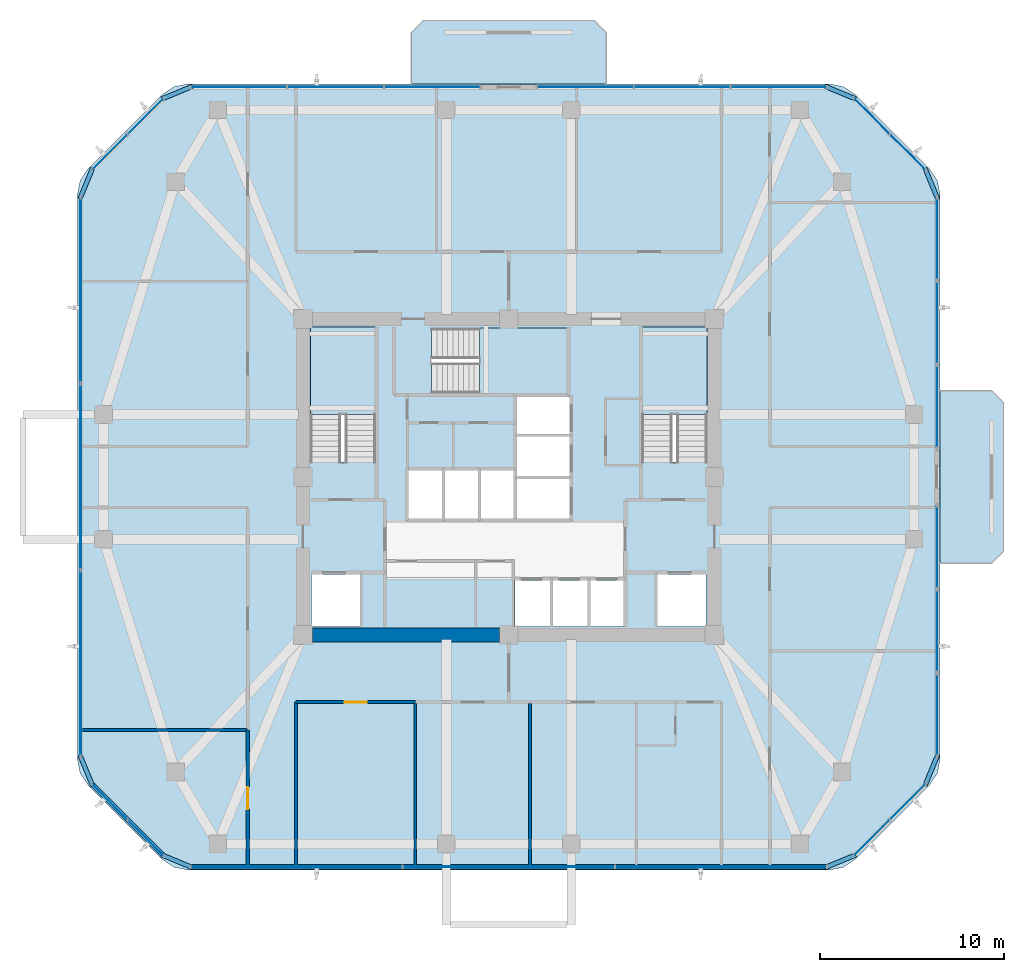
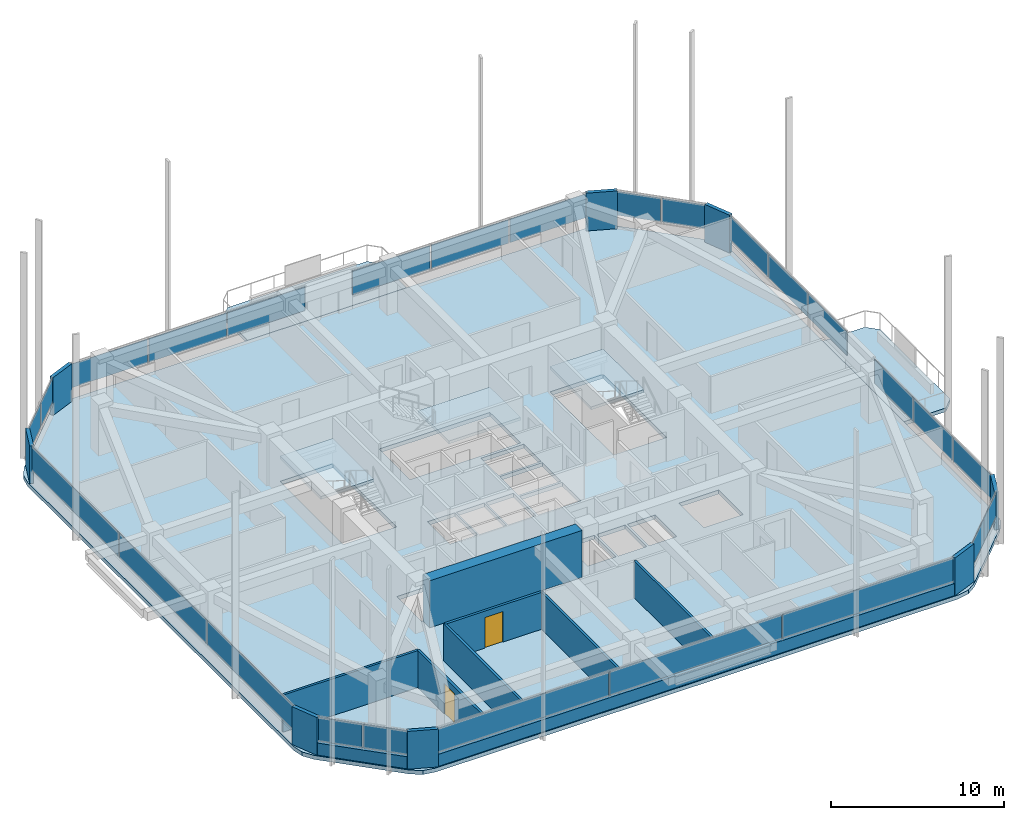
# One storey, part 7 of 14: 34 plates, 9 walls, 6 slabs, 2 doors, 2 openings, 13 elements without a shape of their own.
"""IFC4 building model written with IfcOpenShell, lengths in metres."""

from ifc_helpers import new_model, si_unit, derived_unit, direction, frame, frame_2d, origin, origin_2d, place, context, subcontext, project, spatial, polyline, rectangle, outline, extrude, material, layer, layer_set, type_object, element, fill, aggregate, save


model = new_model("IFC4")

# Units and contexts
model_context = context("Model", 3, precision=1e-05, world=origin(), true_north=direction((0.0, 1.0)))
body_context = subcontext(model_context, "Body", "Model", "MODEL_VIEW")
ifc_project = project(units=[si_unit("LENGTHUNIT", "METRE"), si_unit("AREAUNIT", "SQUARE_METRE"), si_unit("VOLUMEUNIT", "CUBIC_METRE"), si_unit("PLANEANGLEUNIT", "RADIAN"), si_unit("MASSUNIT", "GRAM", prefix="KILO"), derived_unit("THERMALTRANSMITTANCEUNIT", [(si_unit("POWERUNIT", "WATT"), 1), (si_unit("LENGTHUNIT", "METRE"), -2), (si_unit("THERMODYNAMICTEMPERATUREUNIT", "KELVIN"), -1)])], contexts=[model_context])

# Site, building, storey
site_placement = place(None, origin())
site = spatial("IfcSite", under=ifc_project, at=site_placement, CompositionType="ELEMENT")
building_placement = place(site_placement, origin())
building = spatial("IfcBuilding", under=site, at=building_placement, Name="Koralith Skygarden Medical Center", CompositionType="ELEMENT")
storey_placement = place(building_placement, frame((0.0, 0.0, 160.02001953125)))
storey = spatial("IfcBuildingStorey", under=building, at=storey_placement, Name="L41", CompositionType="ELEMENT", Elevation=160.02001953125)

# Curtain wall, plates
ifc_material_1 = material(Name="Clear Laminated Glass", Category="glass")
curtain_wall_type = type_object("IfcCurtainWallType", Name="CW-4 Zone 3 Waist High-Wind Curtain Wall", PredefinedType="NOTDEFINED", material=ifc_material_1)
curtain_wall_1_placement = place(storey_placement, origin())
curtain_wall_1 = element("IfcCurtainWall", 1, at=curtain_wall_1_placement, inside=storey, type_object=curtain_wall_type, Name="Curtain Wall CW-L41-S", PredefinedType="NOTDEFINED")
ifc_layer_1 = layer(ifc_material_1, 0.035888671875)
ifc_layer_set_1 = layer_set([ifc_layer_1], Name="Clear Laminated Glass")
plate_type_1 = type_object("IfcPlateType", Name="CW-4 Hurricane Laminated IGU Panel 36", PredefinedType="CURTAIN_PANEL", material=ifc_layer_set_1)
plate_1_placement = place(storey_placement, frame((25.447021484375, 4.679931640625, 0.919921875), z_axis=(0.0, 0.0, 1.0), x_axis=(1.0, 0.0, 0.0)))
plate_1 = element("IfcPlate", 2, at=plate_1_placement, type_object=plate_type_1, Name="CW-L41-S Glazed Panel 1", PredefinedType="CURTAIN_PANEL", context=body_context, shape_type="SweptSolid", body=[
    extrude(rectangle(XDim=11.462890625, YDim=0.035888671875, at=origin_2d()), origin(), (0.0, 0.0, 1.0), 1.679931640625),
])
plate_2_placement = place(storey_placement, frame((37.0, 4.679931640625, 0.919921875), z_axis=(0.0, 0.0, 1.0), x_axis=(1.0, 0.0, 0.0)))
plate_2 = element("IfcPlate", 3, at=plate_2_placement, type_object=plate_type_1, Name="CW-L41-S Glazed Panel 2", PredefinedType="CURTAIN_PANEL", context=body_context, shape_type="SweptSolid", body=[
    extrude(rectangle(XDim=11.462890625, YDim=0.035888671875, at=origin_2d()), origin(), (0.0, 0.0, 1.0), 1.679931640625),
])
plate_3_placement = place(storey_placement, frame((48.552978515625, 4.679931640625, 0.919921875), z_axis=(0.0, 0.0, 1.0), x_axis=(1.0, 0.0, 0.0)))
plate_3 = element("IfcPlate", 4, at=plate_3_placement, type_object=plate_type_1, Name="CW-L41-S Glazed Panel 3", PredefinedType="CURTAIN_PANEL", context=body_context, shape_type="SweptSolid", body=[
    extrude(rectangle(XDim=11.462890625, YDim=0.035888671875, at=origin_2d()), origin(), (0.0, 0.0, 1.0), 1.679931640625),
])
aggregate(curtain_wall_1, [plate_1, plate_2, plate_3])

curtain_wall_2_placement = place(storey_placement, origin())
curtain_wall_2 = element("IfcCurtainWall", 5, at=curtain_wall_2_placement, inside=storey, type_object=curtain_wall_type, Name="Curtain Wall CW-L41-SE", PredefinedType="NOTDEFINED")
plate_4_placement = place(storey_placement, frame((56.760986328125, 6.261962890625, 0.919921875), z_axis=(0.0, 0.0, 1.0), x_axis=(0.707106781187, 0.707106781187, 0.0)))
plate_4 = element("IfcPlate", 6, at=plate_4_placement, type_object=plate_type_1, Name="CW-L41-SE Glazed Panel 1", PredefinedType="CURTAIN_PANEL", context=body_context, shape_type="SweptSolid", body=[
    extrude(rectangle(XDim=2.68408203125, YDim=0.035888671875, at=origin_2d()), origin(), (0.0, 0.0, 1.0), 1.679931640625),
])
plate_5_placement = place(storey_placement, frame((58.721923828125, 8.222900390625, 0.919921875), z_axis=(0.0, 0.0, 1.0), x_axis=(0.707106781187, 0.707106781187, 0.0)))
plate_5 = element("IfcPlate", 7, at=plate_5_placement, type_object=plate_type_1, Name="CW-L41-SE Glazed Panel 2", PredefinedType="CURTAIN_PANEL", context=body_context, shape_type="SweptSolid", body=[
    extrude(rectangle(XDim=2.68408203125, YDim=0.035888671875, at=origin_2d()), origin(), (0.0, 0.0, 1.0), 1.679931640625),
])
aggregate(curtain_wall_2, [plate_4, plate_5])

curtain_wall_3_placement = place(storey_placement, origin())
curtain_wall_3 = element("IfcCurtainWall", 8, at=curtain_wall_3_placement, inside=storey, type_object=curtain_wall_type, Name="Curtain Wall CW-L41-E-L", PredefinedType="NOTDEFINED")
plate_6_placement = place(storey_placement, frame((60.303955078125, 12.93896484375, 0.919921875), z_axis=(0.0, 0.0, 1.0), x_axis=(0.0, 1.0, 0.0)))
plate_6 = element("IfcPlate", 9, at=plate_6_placement, type_object=plate_type_1, Name="CW-L41-E-L Glazed Panel 1", PredefinedType="CURTAIN_PANEL", context=body_context, shape_type="SweptSolid", body=[
    extrude(rectangle(XDim=4.47802734375, YDim=0.035888671875, at=origin_2d()), origin(), (0.0, 0.0, 1.0), 1.679931640625),
])
plate_7_placement = place(storey_placement, frame((60.303955078125, 17.508056640625, 0.919921875), z_axis=(0.0, 0.0, 1.0), x_axis=(0.0, 1.0, 0.0)))
plate_7 = element("IfcPlate", 10, at=plate_7_placement, type_object=plate_type_1, Name="CW-L41-E-L Glazed Panel 2", PredefinedType="CURTAIN_PANEL", context=body_context, shape_type="SweptSolid", body=[
    extrude(rectangle(XDim=4.47802734375, YDim=0.035888671875, at=origin_2d()), origin(), (0.0, 0.0, 1.0), 1.679931640625),
])
plate_8_placement = place(storey_placement, frame((60.303955078125, 22.075927734375, 0.919921875), z_axis=(0.0, 0.0, 1.0), x_axis=(0.0, 1.0, 0.0)))
plate_8 = element("IfcPlate", 11, at=plate_8_placement, type_object=plate_type_1, Name="CW-L41-E-L Glazed Panel 3", PredefinedType="CURTAIN_PANEL", context=body_context, shape_type="SweptSolid", body=[
    extrude(rectangle(XDim=4.47802734375, YDim=0.035888671875, at=origin_2d()), origin(), (0.0, 0.0, 1.0), 1.679931640625),
])
aggregate(curtain_wall_3, [plate_6, plate_7, plate_8])

curtain_wall_4_placement = place(storey_placement, origin())
curtain_wall_4 = element("IfcCurtainWall", 12, at=curtain_wall_4_placement, inside=storey, type_object=curtain_wall_type, Name="Curtain Wall CW-L41-E-R", PredefinedType="NOTDEFINED")
plate_9_placement = place(storey_placement, frame((60.303955078125, 29.72412109375, 0.919921875), z_axis=(0.0, 0.0, 1.0), x_axis=(0.0, 1.0, 0.0)))
plate_9 = element("IfcPlate", 13, at=plate_9_placement, type_object=plate_type_1, Name="CW-L41-E-R Glazed Panel 1", PredefinedType="CURTAIN_PANEL", context=body_context, shape_type="SweptSolid", body=[
    extrude(rectangle(XDim=4.47802734375, YDim=0.035888671875, at=origin_2d()), origin(), (0.0, 0.0, 1.0), 1.679931640625),
])
plate_10_placement = place(storey_placement, frame((60.303955078125, 34.29296875, 0.919921875), z_axis=(0.0, 0.0, 1.0), x_axis=(0.0, 1.0, 0.0)))
plate_10 = element("IfcPlate", 14, at=plate_10_placement, type_object=plate_type_1, Name="CW-L41-E-R Glazed Panel 2", PredefinedType="CURTAIN_PANEL", context=body_context, shape_type="SweptSolid", body=[
    extrude(rectangle(XDim=4.47802734375, YDim=0.035888671875, at=origin_2d()), origin(), (0.0, 0.0, 1.0), 1.679931640625),
])
plate_11_placement = place(storey_placement, frame((60.303955078125, 38.861083984375, 0.919921875), z_axis=(0.0, 0.0, 1.0), x_axis=(0.0, 1.0, 0.0)))
plate_11 = element("IfcPlate", 15, at=plate_11_placement, type_object=plate_type_1, Name="CW-L41-E-R Glazed Panel 3", PredefinedType="CURTAIN_PANEL", context=body_context, shape_type="SweptSolid", body=[
    extrude(rectangle(XDim=4.47802734375, YDim=0.035888671875, at=origin_2d()), origin(), (0.0, 0.0, 1.0), 1.679931640625),
])
aggregate(curtain_wall_4, [plate_9, plate_10, plate_11])

curtain_wall_5_placement = place(storey_placement, origin())
curtain_wall_5 = element("IfcCurtainWall", 16, at=curtain_wall_5_placement, inside=storey, type_object=curtain_wall_type, Name="Curtain Wall CW-L41-NE", PredefinedType="NOTDEFINED")
plate_12_placement = place(storey_placement, frame((58.721923828125, 43.576904296875, 0.919921875), z_axis=(0.0, 0.0, 1.0), x_axis=(-0.707106781187, 0.707106781187, 0.0)))
plate_12 = element("IfcPlate", 17, at=plate_12_placement, type_object=plate_type_1, Name="CW-L41-NE Glazed Panel 1", PredefinedType="CURTAIN_PANEL", context=body_context, shape_type="SweptSolid", body=[
    extrude(rectangle(XDim=2.68408203125, YDim=0.035888671875, at=origin_2d()), origin(), (0.0, 0.0, 1.0), 1.679931640625),
])
plate_13_placement = place(storey_placement, frame((56.760986328125, 45.5380859375, 0.919921875), z_axis=(0.0, 0.0, 1.0), x_axis=(-0.707106781187, 0.707106781187, 0.0)))
plate_13 = element("IfcPlate", 18, at=plate_13_placement, type_object=plate_type_1, Name="CW-L41-NE Glazed Panel 2", PredefinedType="CURTAIN_PANEL", context=body_context, shape_type="SweptSolid", body=[
    extrude(rectangle(XDim=2.68408203125, YDim=0.035888671875, at=origin_2d()), origin(), (0.0, 0.0, 1.0), 1.679931640625),
])
aggregate(curtain_wall_5, [plate_12, plate_13])

curtain_wall_6_placement = place(storey_placement, origin())
curtain_wall_6 = element("IfcCurtainWall", 19, at=curtain_wall_6_placement, inside=storey, type_object=curtain_wall_type, Name="Curtain Wall CW-L41-N-L", PredefinedType="NOTDEFINED")
plate_14_placement = place(storey_placement, frame((51.697998046875, 47.1201171875, 0.919921875), z_axis=(0.0, 0.0, 1.0), x_axis=(-1.0, 0.0, 0.0)))
plate_14 = element("IfcPlate", 20, at=plate_14_placement, type_object=plate_type_1, Name="CW-L41-N-L Glazed Panel 1", PredefinedType="CURTAIN_PANEL", context=body_context, shape_type="SweptSolid", body=[
    extrude(rectangle(XDim=5.173095703125, YDim=0.035888671875, at=origin_2d()), origin(), (0.0, 0.0, 1.0), 1.679931640625),
])
plate_15_placement = place(storey_placement, frame((46.43505859375, 47.1201171875, 0.919921875), z_axis=(0.0, 0.0, 1.0), x_axis=(-1.0, 0.0, 0.0)))
plate_15 = element("IfcPlate", 21, at=plate_15_placement, type_object=plate_type_1, Name="CW-L41-N-L Glazed Panel 2", PredefinedType="CURTAIN_PANEL", context=body_context, shape_type="SweptSolid", body=[
    extrude(rectangle(XDim=5.173095703125, YDim=0.035888671875, at=origin_2d()), origin(), (0.0, 0.0, 1.0), 1.679931640625),
])
plate_16_placement = place(storey_placement, frame((41.172119140625, 47.1201171875, 0.919921875), z_axis=(0.0, 0.0, 1.0), x_axis=(-1.0, 0.0, 0.0)))
plate_16 = element("IfcPlate", 22, at=plate_16_placement, type_object=plate_type_1, Name="CW-L41-N-L Glazed Panel 3", PredefinedType="CURTAIN_PANEL", context=body_context, shape_type="SweptSolid", body=[
    extrude(rectangle(XDim=5.173095703125, YDim=0.035888671875, at=origin_2d()), origin(), (0.0, 0.0, 1.0), 1.679931640625),
])
aggregate(curtain_wall_6, [plate_14, plate_15, plate_16])

curtain_wall_7_placement = place(storey_placement, origin())
curtain_wall_7 = element("IfcCurtainWall", 23, at=curtain_wall_7_placement, inside=storey, type_object=curtain_wall_type, Name="Curtain Wall CW-L41-N-R", PredefinedType="NOTDEFINED")
plate_17_placement = place(storey_placement, frame((32.8291015625, 47.1201171875, 0.919921875), z_axis=(0.0, 0.0, 1.0), x_axis=(-1.0, 0.0, 0.0)))
plate_17 = element("IfcPlate", 24, at=plate_17_placement, type_object=plate_type_1, Name="CW-L41-N-R Glazed Panel 1", PredefinedType="CURTAIN_PANEL", context=body_context, shape_type="SweptSolid", body=[
    extrude(rectangle(XDim=5.173095703125, YDim=0.035888671875, at=origin_2d()), origin(), (0.0, 0.0, 1.0), 1.679931640625),
])
plate_18_placement = place(storey_placement, frame((27.56591796875, 47.1201171875, 0.919921875), z_axis=(0.0, 0.0, 1.0), x_axis=(-1.0, 0.0, 0.0)))
plate_18 = element("IfcPlate", 25, at=plate_18_placement, type_object=plate_type_1, Name="CW-L41-N-R Glazed Panel 2", PredefinedType="CURTAIN_PANEL", context=body_context, shape_type="SweptSolid", body=[
    extrude(rectangle(XDim=5.173095703125, YDim=0.035888671875, at=origin_2d()), origin(), (0.0, 0.0, 1.0), 1.679931640625),
])
plate_19_placement = place(storey_placement, frame((22.302978515625, 47.1201171875, 0.919921875), z_axis=(0.0, 0.0, 1.0), x_axis=(-1.0, 0.0, 0.0)))
plate_19 = element("IfcPlate", 26, at=plate_19_placement, type_object=plate_type_1, Name="CW-L41-N-R Glazed Panel 3", PredefinedType="CURTAIN_PANEL", context=body_context, shape_type="SweptSolid", body=[
    extrude(rectangle(XDim=5.173095703125, YDim=0.035888671875, at=origin_2d()), origin(), (0.0, 0.0, 1.0), 1.679931640625),
])
aggregate(curtain_wall_7, [plate_17, plate_18, plate_19])

curtain_wall_8_placement = place(storey_placement, origin())
curtain_wall_8 = element("IfcCurtainWall", 27, at=curtain_wall_8_placement, inside=storey, type_object=curtain_wall_type, Name="Curtain Wall CW-L41-NW", PredefinedType="NOTDEFINED")
plate_20_placement = place(storey_placement, frame((17.239013671875, 45.5380859375, 0.919921875), z_axis=(0.0, 0.0, 1.0), x_axis=(-0.707106781187, -0.707106781187, 0.0)))
plate_20 = element("IfcPlate", 28, at=plate_20_placement, type_object=plate_type_1, Name="CW-L41-NW Glazed Panel 1", PredefinedType="CURTAIN_PANEL", context=body_context, shape_type="SweptSolid", body=[
    extrude(rectangle(XDim=2.68408203125, YDim=0.035888671875, at=origin_2d()), origin(), (0.0, 0.0, 1.0), 1.679931640625),
])
plate_21_placement = place(storey_placement, frame((15.278076171875, 43.576904296875, 0.919921875), z_axis=(0.0, 0.0, 1.0), x_axis=(-0.707106781187, -0.707106781187, 0.0)))
plate_21 = element("IfcPlate", 29, at=plate_21_placement, type_object=plate_type_1, Name="CW-L41-NW Glazed Panel 2", PredefinedType="CURTAIN_PANEL", context=body_context, shape_type="SweptSolid", body=[
    extrude(rectangle(XDim=2.68408203125, YDim=0.035888671875, at=origin_2d()), origin(), (0.0, 0.0, 1.0), 1.679931640625),
])
aggregate(curtain_wall_8, [plate_20, plate_21])

curtain_wall_9_placement = place(storey_placement, origin())
curtain_wall_9 = element("IfcCurtainWall", 30, at=curtain_wall_9_placement, inside=storey, type_object=curtain_wall_type, Name="Curtain Wall CW-L41-W", PredefinedType="NOTDEFINED")
plate_22_placement = place(storey_placement, frame((13.696044921875, 36.06298828125, 0.919921875), z_axis=(0.0, 0.0, 1.0), x_axis=(0.0, -1.0, 0.0)))
plate_22 = element("IfcPlate", 31, at=plate_22_placement, type_object=plate_type_1, Name="CW-L41-W Glazed Panel 1", PredefinedType="CURTAIN_PANEL", context=body_context, shape_type="SweptSolid", body=[
    extrude(rectangle(XDim=10.072998046875, YDim=0.035888671875, at=origin_2d()), origin(), (0.0, 0.0, 1.0), 1.679931640625),
])
plate_23_placement = place(storey_placement, frame((13.696044921875, 25.89990234375, 0.919921875), z_axis=(0.0, 0.0, 1.0), x_axis=(0.0, -1.0, 0.0)))
plate_23 = element("IfcPlate", 32, at=plate_23_placement, type_object=plate_type_1, Name="CW-L41-W Glazed Panel 2", PredefinedType="CURTAIN_PANEL", context=body_context, shape_type="SweptSolid", body=[
    extrude(rectangle(XDim=10.072998046875, YDim=0.035888671875, at=origin_2d()), origin(), (0.0, 0.0, 1.0), 1.679931640625),
])
plate_24_placement = place(storey_placement, frame((13.696044921875, 15.737060546875, 0.919921875), z_axis=(0.0, 0.0, 1.0), x_axis=(0.0, -1.0, 0.0)))
plate_24 = element("IfcPlate", 33, at=plate_24_placement, type_object=plate_type_1, Name="CW-L41-W Glazed Panel 3", PredefinedType="CURTAIN_PANEL", context=body_context, shape_type="SweptSolid", body=[
    extrude(rectangle(XDim=10.072998046875, YDim=0.035888671875, at=origin_2d()), origin(), (0.0, 0.0, 1.0), 1.679931640625),
])
aggregate(curtain_wall_9, [plate_22, plate_23, plate_24])

curtain_wall_10_placement = place(storey_placement, origin())
curtain_wall_10 = element("IfcCurtainWall", 34, at=curtain_wall_10_placement, inside=storey, type_object=curtain_wall_type, Name="Curtain Wall CW-L41-SW", PredefinedType="NOTDEFINED")
plate_25_placement = place(storey_placement, frame((15.278076171875, 8.222900390625, 0.919921875), z_axis=(0.0, 0.0, 1.0), x_axis=(0.707106781187, -0.707106781187, 0.0)))
plate_25 = element("IfcPlate", 35, at=plate_25_placement, type_object=plate_type_1, Name="CW-L41-SW Glazed Panel 1", PredefinedType="CURTAIN_PANEL", context=body_context, shape_type="SweptSolid", body=[
    extrude(rectangle(XDim=2.68408203125, YDim=0.035888671875, at=origin_2d()), origin(), (0.0, 0.0, 1.0), 1.679931640625),
])
plate_26_placement = place(storey_placement, frame((17.239013671875, 6.261962890625, 0.919921875), z_axis=(0.0, 0.0, 1.0), x_axis=(0.707106781187, -0.707106781187, 0.0)))
plate_26 = element("IfcPlate", 36, at=plate_26_placement, type_object=plate_type_1, Name="CW-L41-SW Glazed Panel 2", PredefinedType="CURTAIN_PANEL", context=body_context, shape_type="SweptSolid", body=[
    extrude(rectangle(XDim=2.68408203125, YDim=0.035888671875, at=origin_2d()), origin(), (0.0, 0.0, 1.0), 1.679931640625),
])
aggregate(curtain_wall_10, [plate_25, plate_26])

# Slabs
ifc_material_2 = material(Name="Concrete C45/55", Category="concrete")
ifc_layer_2 = layer(ifc_material_2, 0.260009765625)
ifc_layer_set_2 = layer_set([ifc_layer_2], Name="Concrete C45/55")
slab_type_1 = type_object("IfcSlabType", Name="Cantilevered Planted Balcony Slab 260", PredefinedType="FLOOR", material=ifc_layer_set_2)
slab_1_placement = place(storey_placement, frame((0.0, 0.0, -0.260009765625)))
element("IfcSlab", 37, at=slab_1_placement, inside=storey, type_object=slab_type_1, Name="L41 N Planted Sky-Garden Balcony Slab", PredefinedType="FLOOR", context=body_context, shape_type="SweptSolid", body=[
    extrude(outline(polyline([(31.699951171875, 47.300048828125), (42.300048828125, 47.300048828125), (42.300048828125, 50.10009765625), (41.64990234375, 50.75), (32.35009765625, 50.75), (31.699951171875, 50.10009765625), (31.699951171875, 47.300048828125)])), origin(), (0.0, 0.0, 1.0), 0.260009765625),
])
slab_2_placement = place(storey_placement, frame((0.0, 0.0, -0.260009765625)))
element("IfcSlab", 38, at=slab_2_placement, inside=storey, type_object=slab_type_1, Name="L41 E Planted Sky-Garden Balcony Slab", PredefinedType="FLOOR", context=body_context, shape_type="SweptSolid", body=[
    extrude(outline(polyline([(60.48388671875, 21.199951171875), (63.283935546875, 21.199951171875), (63.93408203125, 21.85009765625), (63.93408203125, 29.949951171875), (63.283935546875, 30.60009765625), (60.48388671875, 30.60009765625), (60.48388671875, 21.199951171875)])), origin(), (0.0, 0.0, 1.0), 0.260009765625),
])

# Stair, slab
stair_type = type_object("IfcStairType", Name="Core Exit Dogleg Concrete Stair", PredefinedType="HALF_TURN_STAIR", material=ifc_material_2)
stair_1_placement = place(storey_placement, origin())
stair_1 = element("IfcStair", 39, at=stair_1_placement, inside=storey, type_object=stair_type, Name="L41 Smokeproof Exit Stair ST1", PredefinedType="HALF_TURN_STAIR")
ifc_layer_3 = layer(ifc_material_2, 0.199951171875)
ifc_layer_set_3 = layer_set([ifc_layer_3], Name="Concrete C45/55")
slab_type_2 = type_object("IfcSlabType", Name="Core Exit Concrete Stair Landing 200", PredefinedType="LANDING", material=ifc_layer_set_3)
slab_3_placement = place(storey_placement, frame((0.0, 0.0, 1.60009765625)))
slab_3 = element("IfcSlab", 40, at=slab_3_placement, type_object=slab_type_2, Name="ST1 landing 1", PredefinedType="LANDING", context=body_context, shape_type="SweptSolid", body=[
    extrude(outline(polyline([(29.75, 29.31005859375), (29.75, 34.050048828125), (26.199951171875, 34.050048828125), (26.199951171875, 29.31005859375), (29.75, 29.31005859375)])), origin(), (0.0, 0.0, 1.0), 0.199951171875),
])
aggregate(stair_1, [slab_3])

stair_2_placement = place(storey_placement, origin())
stair_2 = element("IfcStair", 41, at=stair_2_placement, inside=storey, type_object=stair_type, Name="L41 Smokeproof Exit Stair ST2", PredefinedType="HALF_TURN_STAIR")
slab_4_placement = place(storey_placement, frame((0.0, 0.0, 1.60009765625)))
slab_4 = element("IfcSlab", 42, at=slab_4_placement, type_object=slab_type_2, Name="ST2 landing 1", PredefinedType="LANDING", context=body_context, shape_type="SweptSolid", body=[
    extrude(outline(polyline([(47.800048828125, 29.31005859375), (47.800048828125, 34.050048828125), (44.25, 34.050048828125), (44.25, 29.31005859375), (47.800048828125, 29.31005859375)])), origin(), (0.0, 0.0, 1.0), 0.199951171875),
])
aggregate(stair_2, [slab_4])

stair_3_placement = place(storey_placement, origin())
stair_3 = element("IfcStair", 43, at=stair_3_placement, inside=storey, type_object=stair_type, Name="L41 Smokeproof Exit Stair ST3", PredefinedType="HALF_TURN_STAIR")
slab_5_placement = place(storey_placement, frame((0.0, 0.0, 1.60009765625)))
slab_5 = element("IfcSlab", 44, at=slab_5_placement, type_object=slab_type_2, Name="ST3 landing 1", PredefinedType="LANDING", context=body_context, shape_type="SweptSolid", body=[
    extrude(outline(polyline([(35.409912109375, 30.449951171875), (40.199951171875, 30.449951171875), (40.199951171875, 34.0), (35.409912109375, 34.0), (35.409912109375, 30.449951171875)])), origin(), (0.0, 0.0, 1.0), 0.199951171875),
])
aggregate(stair_3, [slab_5])

# Slab
ifc_layer_4 = layer(ifc_material_2, 0.280029296875)
ifc_layer_set_4 = layer_set([ifc_layer_4], Name="Concrete C45/55")
slab_type_3 = type_object("IfcSlabType", Name="Post-Tensioned Ward Floor Plate 280", PredefinedType="FLOOR", material=ifc_layer_set_4)
slab_6_placement = place(storey_placement, frame((0.0, 0.0, -0.280029296875)))
element("IfcSlab", 45, at=slab_6_placement, inside=storey, type_object=slab_type_3, Name="Level L41 Structural Floor Slab", PredefinedType="FLOOR", context=body_context, shape_type="SweptSolid", body=[
    extrude(outline(polyline([(18.1298828125, 5.0859375), (18.779052734375, 4.652099609375), (19.5439453125, 4.5), (54.4560546875, 4.5), (55.220947265625, 4.652099609375), (55.8701171875, 5.0859375), (59.89794921875, 9.114013671875), (60.33203125, 9.762939453125), (60.48388671875, 10.528076171875), (60.48388671875, 41.27197265625), (60.33203125, 42.037109375), (59.89794921875, 42.68603515625), (55.8701171875, 46.714111328125), (55.220947265625, 47.14794921875), (54.4560546875, 47.300048828125), (19.5439453125, 47.300048828125), (18.779052734375, 47.14794921875), (18.1298828125, 46.714111328125), (14.10205078125, 42.68603515625), (13.66796875, 42.037109375), (13.51611328125, 41.27197265625), (13.51611328125, 10.528076171875), (13.66796875, 9.762939453125), (14.10205078125, 9.114013671875), (18.1298828125, 5.0859375)]), holes=[polyline([(26.199951171875, 26.705078125), (29.75, 26.705078125), (29.75, 34.050048828125), (26.199951171875, 34.050048828125), (26.199951171875, 26.705078125)]), polyline([(44.25, 26.705078125), (47.800048828125, 26.705078125), (47.800048828125, 34.050048828125), (44.25, 34.050048828125), (44.25, 26.705078125)]), polyline([(32.804931640625, 30.449951171875), (40.199951171875, 30.449951171875), (40.199951171875, 34.0), (32.804931640625, 34.0), (32.804931640625, 30.449951171875)]), polyline([(26.25, 17.75), (28.89990234375, 17.75), (28.89990234375, 20.60009765625), (26.25, 20.60009765625), (26.25, 17.75)]), polyline([(45.10009765625, 17.75), (47.75, 17.75), (47.75, 20.60009765625), (45.10009765625, 20.60009765625), (45.10009765625, 17.75)]), polyline([(37.35009765625, 17.75), (39.25, 17.75), (39.25, 20.25), (37.35009765625, 20.25), (37.35009765625, 17.75)]), polyline([(39.39990234375, 17.75), (41.300048828125, 17.75), (41.300048828125, 20.25), (39.39990234375, 20.25), (39.39990234375, 17.75)]), polyline([(41.449951171875, 17.75), (43.300048828125, 17.75), (43.300048828125, 20.25), (41.449951171875, 20.25), (41.449951171875, 17.75)]), polyline([(31.550048828125, 23.64990234375), (33.39990234375, 23.64990234375), (33.39990234375, 26.25), (31.550048828125, 26.25), (31.550048828125, 23.64990234375)]), polyline([(33.5, 23.64990234375), (35.35009765625, 23.64990234375), (35.35009765625, 26.25), (33.5, 26.25), (33.5, 23.64990234375)]), polyline([(35.449951171875, 23.64990234375), (37.300048828125, 23.64990234375), (37.300048828125, 26.25), (35.449951171875, 26.25), (35.449951171875, 23.64990234375)]), polyline([(37.449951171875, 23.64990234375), (40.300048828125, 23.64990234375), (40.300048828125, 25.800048828125), (37.449951171875, 25.800048828125), (37.449951171875, 23.64990234375)]), polyline([(37.449951171875, 25.949951171875), (40.300048828125, 25.949951171875), (40.300048828125, 28.10009765625), (37.449951171875, 28.10009765625), (37.449951171875, 25.949951171875)]), polyline([(37.449951171875, 28.25), (40.300048828125, 28.25), (40.300048828125, 30.25), (37.449951171875, 30.25), (37.449951171875, 28.25)])]), origin(), (0.0, 0.0, 1.0), 0.280029296875),
])

# Plates
ifc_material_3 = material(Name="Warm Oolitic Limestone Cladding", Category="masonry")
ifc_layer_5 = layer(ifc_material_3, 0.239990234375)
ifc_layer_set_5 = layer_set([ifc_layer_5], Name="Warm Oolitic Limestone Cladding")
plate_type_2 = type_object("IfcPlateType", Name="Rounded-Corner Oolitic Limestone Cladding Panel 240", PredefinedType="USERDEFINED", material=ifc_layer_set_5)
for number, where, z_axis, x_axis, name in (
    (46, (55.054931640625, 4.97998046875, 0.0), (0.0, 0.0, 1.0), (0.92388487569, 0.382670532536, 0.0), "L41 Rounded-Corner Limestone Pier 1"),
    (47, (60.00390625, 9.929931640625, 0.0), (0.0, 0.0, 1.0), (0.382670532536, 0.92388487569, 0.0), "L41 Rounded-Corner Limestone Pier 2"),
    (48, (60.00390625, 41.8701171875, 0.0), (0.0, 0.0, 1.0), (-0.382670532536, 0.92388487569, 0.0), "L41 Rounded-Corner Limestone Pier 3"),
    (49, (55.054931640625, 46.819091796875, 0.0), (0.0, 0.0, 1.0), (-0.92388487569, 0.382670532536, 0.0), "L41 Rounded-Corner Limestone Pier 4"),
    (50, (18.945068359375, 46.819091796875, 0.0), (0.0, 0.0, 1.0), (-0.92388487569, -0.382670532536, 0.0), "L41 Rounded-Corner Limestone Pier 5"),
    (51, (13.9970703125, 41.8701171875, 0.0), (0.0, 0.0, 1.0), (-0.382670532536, -0.92388487569, 0.0), "L41 Rounded-Corner Limestone Pier 6"),
    (52, (13.9970703125, 9.929931640625, 0.0), (0.0, 0.0, 1.0), (0.382670532536, -0.92388487569, 0.0), "L41 Rounded-Corner Limestone Pier 7"),
    (53, (18.945068359375, 4.97998046875, 0.0), (0.0, 0.0, 1.0), (0.92388487569, -0.382670532536, 0.0), "L41 Rounded-Corner Limestone Pier 8"),
):
    element("IfcPlate", number, at=place(storey_placement, frame(where, z_axis=z_axis, x_axis=x_axis)), inside=storey, type_object=plate_type_2, Name=name, ObjectType="LIMESTONE CLADDING", PredefinedType="USERDEFINED", context=body_context, shape_type="SweptSolid", body=[
        extrude(rectangle(XDim=1.81103515625, YDim=0.239990234375, at=origin_2d()), origin(), (0.0, 0.0, 1.0), 2.669921875),
    ])

# Walls
ifc_material_4 = material(Name="Gypsum Board Partition")
ifc_layer_6 = layer(ifc_material_4, 0.14990234375)
ifc_layer_set_6 = layer_set([ifc_layer_6], Name="Gypsum Board Partition")
wall_type_1 = type_object("IfcWallType", Name="Clinical Acoustic Partition 150", PredefinedType="PARTITIONING", material=ifc_layer_set_6)
for number, where, z_axis, x_axis, name in (
    (54, (31.9140625, 13.639892578125, 0.0), (0.0, 0.0, 1.0), (0.0, -1.0, 0.0), "L41 Clinical Acoustic Partition 150 W-PART-L41-S-01"),
    (55, (38.156005859375, 13.639892578125, 0.0), (0.0, 0.0, 1.0), (0.0, -1.0, 0.0), "L41 Clinical Acoustic Partition 150 W-PART-L41-S-02"),
):
    element("IfcWall", number, at=place(storey_placement, frame(where, z_axis=z_axis, x_axis=x_axis)), inside=storey, type_object=wall_type_1, Name=name, PredefinedType="PARTITIONING", context=body_context, shape_type="SweptSolid", body=[
        extrude(rectangle(XDim=8.93994140625, YDim=0.14990234375, at=frame_2d((4.469970703125, 0.0))), origin(), (0.0, 0.0, 1.0), 2.60986328125),
    ])
wall_1_placement = place(storey_placement, frame((22.7900390625, 12.125, 0.0), z_axis=(0.0, 0.0, 1.0), x_axis=(-1.0, 0.0, 0.0)))
element("IfcWall", 56, at=wall_1_placement, inside=storey, type_object=wall_type_1, Name="L41 Clinical Acoustic Partition 150 W-PART-L41-WS-01", PredefinedType="PARTITIONING", context=body_context, shape_type="SweptSolid", body=[
    extrude(rectangle(XDim=9.073974609375, YDim=0.14990234375, at=frame_2d((4.537109375, 0.0))), origin(), (0.0, 0.0, 1.0), 2.60986328125),
])
ifc_layer_7 = layer(ifc_material_4, 0.1650390625)
ifc_layer_set_7 = layer_set([ifc_layer_7], Name="Gypsum Board Partition")
wall_type_2 = type_object("IfcWallType", Name="Clinical Corridor Partition 165", PredefinedType="PARTITIONING", material=ifc_layer_set_7)
wall_2_placement = place(storey_placement, frame((25.429931640625, 4.699951171875, 0.0), z_axis=(0.0, 0.0, 1.0), x_axis=(0.0, 1.0, 0.0)))
element("IfcWall", 57, at=wall_2_placement, inside=storey, type_object=wall_type_2, Name="L41 Clinical Corridor Partition 165 W-HCOR-L41-SW", PredefinedType="PARTITIONING", context=body_context, shape_type="SweptSolid", body=[
    extrude(rectangle(XDim=8.93994140625, YDim=0.1650390625, at=frame_2d((4.469970703125, 0.0))), origin(), (0.0, 0.0, 1.0), 2.60986328125),
])

# Wall, opening, door
wall_3_placement = place(storey_placement, frame((25.429931640625, 13.639892578125, 0.0), z_axis=(0.0, 0.0, 1.0), x_axis=(1.0, 0.0, 0.0)))
wall_3 = element("IfcWall", 58, at=wall_3_placement, inside=storey, type_object=wall_type_2, Name="L41 Clinical Corridor Partition 165 W-CORR-L41-S-01", PredefinedType="PARTITIONING", context=body_context, shape_type="SweptSolid", body=[
    extrude(rectangle(XDim=6.484130859375, YDim=0.1650390625, at=frame_2d((3.2421875, 0.0))), origin(), (0.0, 0.0, 1.0), 2.60986328125),
])
opening_1_placement = place(wall_3_placement, frame((2.64208984375, 0.0, 0.0)))
opening_1 = element("IfcOpeningElement", 59, at=opening_1_placement, cuts=wall_3, Name="Opening D-CLN", PredefinedType="OPENING", context=body_context, shape_type="SweptSolid", body=[
    extrude(rectangle(XDim=1.199951171875, YDim=2.14990234375, at=frame_2d((0.60009765625, 1.074951171875))), frame((0.0, 0.092529296875, 0.0), z_axis=(0.0, -1.0, 0.0), x_axis=(1.0, 0.0, 0.0)), (0.0, 0.0, 1.0), 0.18505859375),
])
ifc_material_5 = material(Name="Aluminium 6063-T6", Category="aluminium")
door_type = type_object("IfcDoorType", Name="Clinical Corridor Door D-CLN 1200", OperationType="NOTDEFINED", PredefinedType="DOOR", material=ifc_material_5)
door_1_placement = place(opening_1_placement, frame((1.199951171875, 0.0, 0.0), z_axis=(0.0, 0.0, 1.0), x_axis=(-1.0, 0.0, 0.0)))
door_1 = element("IfcDoor", 60, at=door_1_placement, inside=storey, type_object=door_type, Name="L41 Genetic Counseling Office 04 Door", OperationType="SINGLE_SWING_LEFT", OverallHeight=2.14990234375, OverallWidth=1.199951171875, PredefinedType="DOOR", context=body_context, shape_type="SweptSolid", body=[
    extrude(rectangle(XDim=1.199951171875, YDim=2.14990234375, at=frame_2d((0.60009765625, 1.074951171875))), frame((0.0, 0.02490234375, 0.0), z_axis=(0.0, -1.0, 0.0), x_axis=(1.0, 0.0, 0.0)), (0.0, 0.0, 1.0), 0.050048828125),
])
fill(opening_1, door_1)

wall_4_placement = place(storey_placement, frame((22.7900390625, 4.699951171875, 0.0), z_axis=(0.0, 0.0, 1.0), x_axis=(0.0, 1.0, 0.0)))
wall_4 = element("IfcWall", 61, at=wall_4_placement, inside=storey, type_object=wall_type_2, Name="L41 Clinical Corridor Partition 165 W-CORR-L41-WS-01", PredefinedType="PARTITIONING", context=body_context, shape_type="SweptSolid", body=[
    extrude(rectangle(XDim=7.425048828125, YDim=0.1650390625, at=frame_2d((3.71240234375, 0.0))), origin(), (0.0, 0.0, 1.0), 2.60986328125),
])
opening_2_placement = place(wall_4_placement, frame((3.112060546875, 0.0, 0.0)))
opening_2 = element("IfcOpeningElement", 62, at=opening_2_placement, cuts=wall_4, Name="Opening D-CLN", PredefinedType="OPENING", context=body_context, shape_type="SweptSolid", body=[
    extrude(rectangle(XDim=1.199951171875, YDim=2.14990234375, at=frame_2d((0.60009765625, 1.074951171875))), frame((0.0, 0.092529296875, 0.0), z_axis=(0.0, -1.0, 0.0), x_axis=(1.0, 0.0, 0.0)), (0.0, 0.0, 1.0), 0.18505859375),
])
door_2_placement = place(opening_2_placement, frame((1.199951171875, 0.0, 0.0), z_axis=(0.0, 0.0, 1.0), x_axis=(-1.0, 0.0, 0.0)))
door_2 = element("IfcDoor", 63, at=door_2_placement, inside=storey, type_object=door_type, Name="L41 Perinatal Ultrasound Exam Room 08 Door", OperationType="SINGLE_SWING_LEFT", OverallHeight=2.14990234375, OverallWidth=1.199951171875, PredefinedType="DOOR", context=body_context, shape_type="SweptSolid", body=[
    extrude(rectangle(XDim=1.199951171875, YDim=2.14990234375, at=frame_2d((0.60009765625, 1.074951171875))), frame((0.0, 0.02490234375, 0.0), z_axis=(0.0, -1.0, 0.0), x_axis=(1.0, 0.0, 0.0)), (0.0, 0.0, 1.0), 0.050048828125),
])
fill(opening_2, door_2)

# Walls
ifc_layer_8 = layer(ifc_material_3, 0.239990234375)
ifc_layer_set_8 = layer_set([ifc_layer_8], Name="Warm Oolitic Limestone Cladding")
wall_type_3 = type_object("IfcWallType", Name="Limestone Spandrel Sill Backup Wall 240", PredefinedType="SOLIDWALL", material=ifc_layer_set_8)
wall_5_placement = place(storey_placement, frame((19.6708984375, 4.679931640625, 0.0), z_axis=(0.0, 0.0, 1.0), x_axis=(1.0, 0.0, 0.0)))
element("IfcWall", 64, at=wall_5_placement, inside=storey, type_object=wall_type_3, Name="L41 Sill Spandrel S", PredefinedType="SOLIDWALL", context=body_context, shape_type="SweptSolid", body=[
    extrude(rectangle(XDim=34.658203125, YDim=0.239990234375, at=frame_2d((17.3291015625, 0.0))), origin(), (0.0, 0.0, 1.0), 0.85009765625),
])
wall_6_placement = place(storey_placement, frame((14.297119140625, 9.2041015625, 0.0), z_axis=(0.0, 0.0, 1.0), x_axis=(0.707084777957, -0.707128783731, 0.0)))
element("IfcWall", 65, at=wall_6_placement, inside=storey, type_object=wall_type_3, Name="L41 Sill Spandrel SW", PredefinedType="SOLIDWALL", context=body_context, shape_type="SweptSolid", body=[
    extrude(rectangle(XDim=5.5478515625, YDim=0.239990234375, at=frame_2d((2.77392578125, 0.0))), origin(), (0.0, 0.0, 1.0), 0.85009765625),
])
ifc_material_6 = material(Name="Concrete C70/85", Category="concrete")
ifc_layer_9 = layer(ifc_material_6, 0.75)
ifc_layer_set_9 = layer_set([ifc_layer_9], Name="Concrete C70/85")
wall_type_4 = type_object("IfcWallType", Name="Mid Core Shear Wall 750", PredefinedType="SHEAR", material=ifc_layer_set_9)
wall_7_placement = place(storey_placement, frame((26.304931640625, 17.300048828125, 0.0), z_axis=(0.0, 0.0, 1.0), x_axis=(1.0, 0.0, 0.0)))
element("IfcWall", 66, at=wall_7_placement, inside=storey, type_object=wall_type_4, Name="L41 Core Shear Wall Segment 1", PredefinedType="SHEAR", context=body_context, shape_type="SweptSolid", body=[
    extrude(rectangle(XDim=10.190185546875, YDim=0.75, at=frame_2d((5.09521484375, 0.0))), origin(), (0.0, 0.0, 1.0), 3.320068359375),
])

save(model, "model.ifc")
